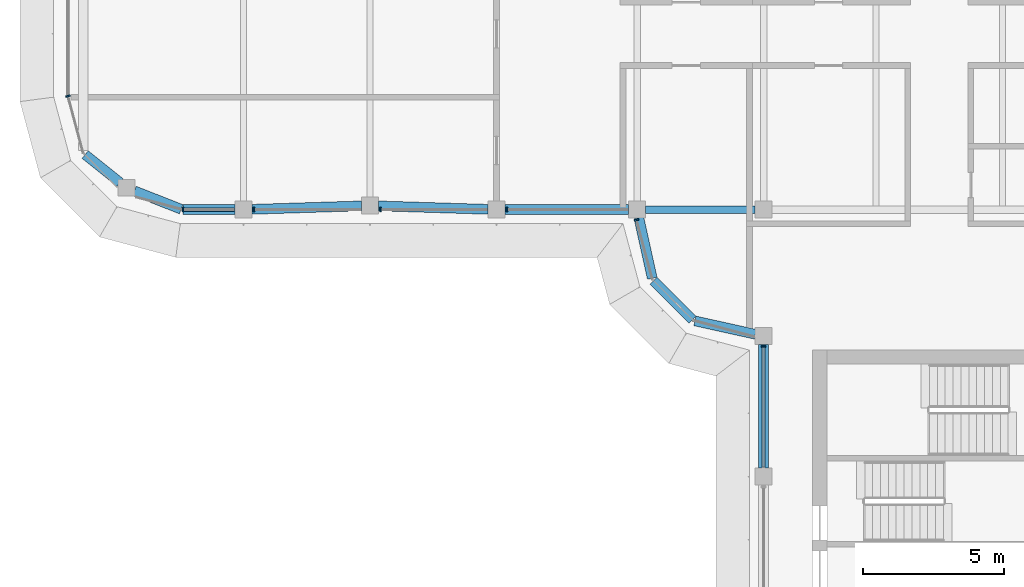
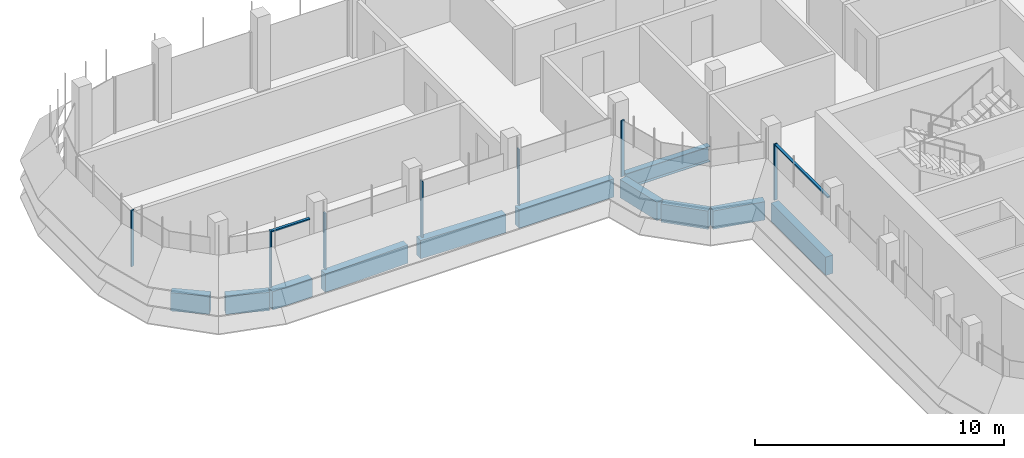
# One storey, part 3 of 19: 11 beams, 9 members, 4 elements without a shape of their own.
"""IFC4 building model written with IfcOpenShell, lengths in metres."""

from ifc_helpers import new_model, si_unit, direction, frame, origin, origin_2d, place, context, subcontext, project, spatial, polyline, rectangle, i_section, outline, extrude, source, transform, mapped, material, material_profile, profile_set, type_object, element, aggregate, save


model = new_model("IFC4")

# Units and contexts
model_context = context("Model", 3, precision=1e-05, world=origin(), true_north=direction((0.0, 1.0)))
body_context = subcontext(model_context, "Body", "Model", "MODEL_VIEW")
ifc_project = project(units=[si_unit("LENGTHUNIT", "METRE"), si_unit("AREAUNIT", "SQUARE_METRE"), si_unit("VOLUMEUNIT", "CUBIC_METRE"), si_unit("PLANEANGLEUNIT", "RADIAN"), si_unit("MASSUNIT", "GRAM", prefix="KILO")], contexts=[model_context])

# Site, building, storey
site_placement = place(None, origin())
site = spatial("IfcSite", under=ifc_project, at=site_placement, CompositionType="ELEMENT")
building_placement = place(site_placement, origin())
building = spatial("IfcBuilding", under=site, at=building_placement, Name="Zarbagh Exchange Tower", CompositionType="ELEMENT")
storey_placement = place(building_placement, frame((0.0, 0.0, 265.0)))
storey = spatial("IfcBuildingStorey", under=building, at=storey_placement, Name="L65", CompositionType="ELEMENT", Elevation=265.0)

# Beams
ifc_material_1 = material(Name="Steel ASTM A992 Gr 50", Category="steel")
ifc_material_profile_1 = material_profile(ifc_material_1, i_section(OverallWidth=0.2666015625, OverallDepth=0.7568359375, WebThickness=0.013916015625, FlangeThickness=0.019287109375, at=origin_2d()), Name="W30X108")
ifc_profile_set_1 = profile_set([ifc_material_profile_1], Name="Steel ASTM A992 Gr 50")
beam_type_1 = type_object("IfcBeamType", Name="Floor girder W30X108", PredefinedType="BEAM", material=ifc_profile_set_1)
beam_1_placement = place(storey_placement, frame((-10.449951171875, -6.25, -0.5283203125), z_axis=(1.0, 0.0, 0.0), x_axis=(0.0, 1.0, 0.0)))
element("IfcBeam", 1, at=beam_1_placement, inside=storey, type_object=beam_type_1, Name="Steel girder", PredefinedType="BEAM", context=body_context, shape_type="SweptSolid", body=[
    extrude(i_section(OverallWidth=0.2666015625, OverallDepth=0.7568359375, WebThickness=0.013916015625, FlangeThickness=0.019287109375, at=origin_2d()), origin(), (0.0, 0.0, 1.0), 3.89990234375),
])
ifc_material_2 = material(Name="Concrete C40/50", Category="concrete")
ifc_material_profile_2 = material_profile(ifc_material_2, rectangle(XDim=0.35009765625, YDim=0.89990234375, at=origin_2d()), Name="RC spandrel beam 350 x 900 C40/50")
ifc_profile_set_2 = profile_set([ifc_material_profile_2], Name="Concrete C40/50")
beam_type_2 = type_object("IfcBeamType", Name="RC spandrel beam 350 x 900 C40/50", PredefinedType="SPANDREL", material=ifc_profile_set_2)
beam_2_placement = place(storey_placement, frame((-6.25, -15.449951171875, -0.60009765625), z_axis=(0.0, 1.0, 0.0), x_axis=(-1.0, 0.0, 0.0)))
element("IfcBeam", 2, at=beam_2_placement, inside=storey, type_object=beam_type_2, Name="RC spandrel beam", PredefinedType="SPANDREL", context=body_context, shape_type="SweptSolid", body=[
    extrude(rectangle(XDim=0.35009765625, YDim=0.89990234375, at=origin_2d()), origin(), (0.0, 0.0, 1.0), 4.39990234375),
])
beam_3_placement = place(storey_placement, frame((-6.54296875, -10.685302734375, -0.60009765625), z_axis=(-0.976387662047, 0.216025770228, 0.0), x_axis=(-0.216025770228, -0.976387662047, 0.0)))
element("IfcBeam", 3, at=beam_3_placement, inside=storey, type_object=beam_type_2, Name="RC spandrel beam", PredefinedType="SPANDREL", context=body_context, shape_type="SweptSolid", body=[
    extrude(rectangle(XDim=0.35009765625, YDim=0.89990234375, at=origin_2d()), origin(), (0.0, 0.0, 1.0), 2.200439453125),
])
beam_4_placement = place(storey_placement, frame((-8.77734375, -10.16259765625, -0.60009765625), z_axis=(-0.707106781187, 0.707106781187, 0.0), x_axis=(-0.707106781187, -0.707106781187, 0.0)))
element("IfcBeam", 4, at=beam_4_placement, inside=storey, type_object=beam_type_2, Name="RC spandrel beam", PredefinedType="SPANDREL", context=body_context, shape_type="SweptSolid", body=[
    extrude(rectangle(XDim=0.35009765625, YDim=0.89990234375, at=origin_2d()), origin(), (0.0, 0.0, 1.0), 1.958984375),
])
beam_5_placement = place(storey_placement, frame((-10.2099609375, -8.69140625, -0.60009765625), z_axis=(-0.216025770228, 0.976387662047, 0.0), x_axis=(-0.976387662047, -0.216025770228, 0.0)))
element("IfcBeam", 5, at=beam_5_placement, inside=storey, type_object=beam_type_2, Name="RC spandrel beam", PredefinedType="SPANDREL", context=body_context, shape_type="SweptSolid", body=[
    extrude(rectangle(XDim=0.35009765625, YDim=0.89990234375, at=origin_2d()), origin(), (0.0, 0.0, 1.0), 2.200439453125),
])
beam_6_placement = place(storey_placement, frame((-11.050048828125, -6.25, -0.60009765625), z_axis=(-1.0, 0.0, 0.0), x_axis=(0.0, -1.0, 0.0)))
element("IfcBeam", 6, at=beam_6_placement, inside=storey, type_object=beam_type_2, Name="RC spandrel beam", PredefinedType="SPANDREL", context=body_context, shape_type="SweptSolid", body=[
    extrude(rectangle(XDim=0.35009765625, YDim=0.89990234375, at=origin_2d()), origin(), (0.0, 0.0, 1.0), 4.39990234375),
])
for number, where, z_axis, x_axis, name in (
    (7, (-16.0498046875, -6.24072265625, -0.60009765625), (-0.999516460907, 0.031094121249, 0.0), (-0.031094121249, -0.999516460907, 0.0), "RC spandrel beam"),
    (8, (-20.5498046875, -6.119384765625, -0.60009765625), (-0.999516460907, -0.031094121249, 0.0), (0.031094121249, -0.999516460907, 0.0), "RC spandrel beam"),
):
    element("IfcBeam", number, at=place(storey_placement, frame(where, z_axis=z_axis, x_axis=x_axis)), inside=storey, type_object=beam_type_2, Name=name, PredefinedType="SPANDREL", context=body_context, shape_type="SweptSolid", body=[
        extrude(rectangle(XDim=0.35009765625, YDim=0.89990234375, at=origin_2d()), origin(), (0.0, 0.0, 1.0), 3.90234375),
    ])
beam_7_placement = place(storey_placement, frame((-25.050048828125, -6.25, -0.60009765625), z_axis=(-1.0, 0.0, 0.0), x_axis=(0.0, -1.0, 0.0)))
element("IfcBeam", 9, at=beam_7_placement, inside=storey, type_object=beam_type_2, Name="RC spandrel beam", PredefinedType="SPANDREL", context=body_context, shape_type="SweptSolid", body=[
    extrude(rectangle(XDim=0.35009765625, YDim=0.89990234375, at=origin_2d()), origin(), (0.0, 0.0, 1.0), 1.850830078125),
])
beam_8_placement = place(storey_placement, frame((-26.965087890625, -6.23779296875, -0.60009765625), z_axis=(-0.930859366381, 0.365377667655, 0.0), x_axis=(-0.365377667655, -0.930859366381, 0.0)))
element("IfcBeam", 10, at=beam_8_placement, inside=storey, type_object=beam_type_2, Name="RC spandrel beam", PredefinedType="SPANDREL", context=body_context, shape_type="SweptSolid", body=[
    extrude(rectangle(XDim=0.35009765625, YDim=0.89990234375, at=origin_2d()), origin(), (0.0, 0.0, 1.0), 1.787353515625),
])
beam_9_placement = place(storey_placement, frame((-29.14208984375, -5.28759765625, -0.60009765625), z_axis=(-0.780584122498, 0.625050740104, 0.0), x_axis=(-0.625050740104, -0.780584122498, 0.0)))
element("IfcBeam", 11, at=beam_9_placement, inside=storey, type_object=beam_type_2, Name="RC spandrel beam", PredefinedType="SPANDREL", context=body_context, shape_type="SweptSolid", body=[
    extrude(rectangle(XDim=0.35009765625, YDim=0.89990234375, at=origin_2d()), origin(), (0.0, 0.0, 1.0), 1.590087890625),
])

# Curtain wall, member
ifc_material_3 = material(Name="Anodised aluminium frame and glazing", Category="aluminium")
curtain_wall_type = type_object("IfcCurtainWallType", Name="CWB Ribbon glazing, upper zones", PredefinedType="NOTDEFINED", material=ifc_material_3)
curtain_wall_1_placement = place(storey_placement, origin())
curtain_wall_1 = element("IfcCurtainWall", 12, at=curtain_wall_1_placement, inside=storey, type_object=curtain_wall_type, Name="CWB62 curtain wall", PredefinedType="NOTDEFINED")
ifc_material_4 = material(Name="Anodised aluminium frame", Category="aluminium")
member_type_1 = type_object("IfcMemberType", Name="MUB Mullion, anodised aluminium frame", PredefinedType="MULLION", material=ifc_material_4)
shared_shape_1 = source(origin(), body_context, "Body", "SweptSolid", [
    extrude(outline(polyline([(0.0, -0.080078125), (0.06005859375, -0.080078125), (0.06005859375, 0.080078125), (0.0, 0.080078125), (0.0, -0.080078125)])), origin(), (0.0, 0.0, 1.0), 2.75),
])
placement = place(storey_placement, origin())
member_1 = element("IfcMember", 13, at=placement, type_object=member_type_1, Name="CWB62 mullion 1.1", PredefinedType="MULLION", context=body_context, shape_type="MappedRepresentation", body=[
    mapped(shared_shape_1, transform((-31.0, -2.18408203125, 0.0), x_axis=(0.258824779902, -0.965924289636, 0.0), y_axis=(0.965924289636, 0.258824779902, 0.0), z_axis=(0.0, 0.0, 1.0))),
])
aggregate(curtain_wall_1, [member_1])

# Curtain wall, members
curtain_wall_2_placement = place(storey_placement, origin())
curtain_wall_2 = element("IfcCurtainWall", 14, at=curtain_wall_2_placement, inside=storey, type_object=curtain_wall_type, Name="CWB65 curtain wall", PredefinedType="NOTDEFINED")
member_2 = element("IfcMember", 15, at=placement, type_object=member_type_1, Name="CWB65 mullion 1.1", PredefinedType="MULLION", context=body_context, shape_type="MappedRepresentation", body=[
    mapped(shared_shape_1, transform((-26.93408203125, -6.25, 0.0), x_axis=(1.0, 0.0, 0.0), y_axis=(0.0, 1.0, 0.0), z_axis=(0.0, 0.0, 1.0))),
])
member_3 = element("IfcMember", 16, at=placement, type_object=member_type_1, Name="CWB65 mullion 2.1", PredefinedType="MULLION", context=body_context, shape_type="MappedRepresentation", body=[
    mapped(shared_shape_1, transform((-24.409912109375, -6.25, 0.0), x_axis=(1.0, 0.0, 0.0), y_axis=(0.0, 1.0, 0.0), z_axis=(0.0, 0.0, 1.0))),
])
member_4 = element("IfcMember", 17, at=placement, type_object=member_type_1, Name="CWB65 mullion 3.1", PredefinedType="MULLION", context=body_context, shape_type="MappedRepresentation", body=[
    mapped(shared_shape_1, transform((-19.909912109375, -6.25, 0.0), x_axis=(1.0, 0.0, 0.0), y_axis=(0.0, 1.0, 0.0), z_axis=(0.0, 0.0, 1.0))),
])
member_5 = element("IfcMember", 18, at=placement, type_object=member_type_1, Name="CWB65 mullion 4.1", PredefinedType="MULLION", context=body_context, shape_type="MappedRepresentation", body=[
    mapped(shared_shape_1, transform((-15.409912109375, -6.25, 0.0), x_axis=(1.0, 0.0, 0.0), y_axis=(0.0, 1.0, 0.0), z_axis=(0.0, 0.0, 1.0))),
])

# Curtain wall, member
curtain_wall_3_placement = place(storey_placement, origin())
curtain_wall_3 = element("IfcCurtainWall", 19, at=curtain_wall_3_placement, inside=storey, type_object=curtain_wall_type, Name="CWB41 curtain wall", PredefinedType="NOTDEFINED")
member_6 = element("IfcMember", 20, at=placement, type_object=member_type_1, Name="CWB41 mullion 1.1", PredefinedType="MULLION", context=body_context, shape_type="MappedRepresentation", body=[
    mapped(shared_shape_1, transform((-10.775146484375, -6.590087890625, 0.0), x_axis=(0.258824779902, -0.965924289636, 0.0), y_axis=(0.965924289636, 0.258824779902, 0.0), z_axis=(0.0, 0.0, 1.0))),
])
aggregate(curtain_wall_3, [member_6])

curtain_wall_4_placement = place(storey_placement, origin())
curtain_wall_4 = element("IfcCurtainWall", 21, at=curtain_wall_4_placement, inside=storey, type_object=curtain_wall_type, Name="CWB53 curtain wall", PredefinedType="NOTDEFINED")
member_7 = element("IfcMember", 22, at=placement, type_object=member_type_1, Name="CWB53 mullion 1.1", PredefinedType="MULLION", context=body_context, shape_type="MappedRepresentation", body=[
    mapped(shared_shape_1, transform((-6.25, -11.090087890625, 0.0), x_axis=(0.0, -1.0, 0.0), y_axis=(1.0, 0.0, 0.0), z_axis=(0.0, 0.0, 1.0))),
])

# Member
member_type_2 = type_object("IfcMemberType", Name="TRB Transom, anodised aluminium frame", PredefinedType="USERDEFINED", material=ifc_material_4)
shared_shape_2 = source(origin(), body_context, "Body", "SweptSolid", [
    extrude(outline(polyline([(-0.06005859375, -0.06005859375), (0.0, -0.06005859375), (0.0, 0.06005859375), (-0.06005859375, 0.06005859375), (-0.06005859375, -0.06005859375)])), origin(), (0.0, 0.0, 1.0), 1.7841796875),
])
member_8 = element("IfcMember", 23, at=placement, type_object=member_type_2, Name="CWB65 transom 1.1", ObjectType="TRANSOM", PredefinedType="USERDEFINED", context=body_context, shape_type="MappedRepresentation", body=[
    mapped(shared_shape_2, transform((-26.874267578125, -6.25, 2.75), x_axis=(0.0, 0.0, 1.0), y_axis=(0.0, -1.0, 0.0), z_axis=(1.0, 0.0, 0.0))),
])

aggregate(curtain_wall_2, [member_2, member_8, member_3, member_4, member_5])

shared_shape_3 = source(origin(), body_context, "Body", "SweptSolid", [
    extrude(outline(polyline([(-0.06005859375, -0.06005859375), (0.0, -0.06005859375), (0.0, 0.06005859375), (-0.06005859375, 0.06005859375), (-0.06005859375, -0.06005859375)])), origin(), (0.0, 0.0, 1.0), 4.260009765625),
])
member_9 = element("IfcMember", 24, at=placement, type_object=member_type_2, Name="CWB53 transom 1.1", ObjectType="TRANSOM", PredefinedType="USERDEFINED", context=body_context, shape_type="MappedRepresentation", body=[
    mapped(shared_shape_3, transform((-6.25, -11.150146484375, 2.75), x_axis=(0.0, 0.0, 1.0), y_axis=(-1.0, 0.0, 0.0), z_axis=(0.0, -1.0, 0.0))),
])

aggregate(curtain_wall_4, [member_7, member_9])

save(model, "model.ifc")
